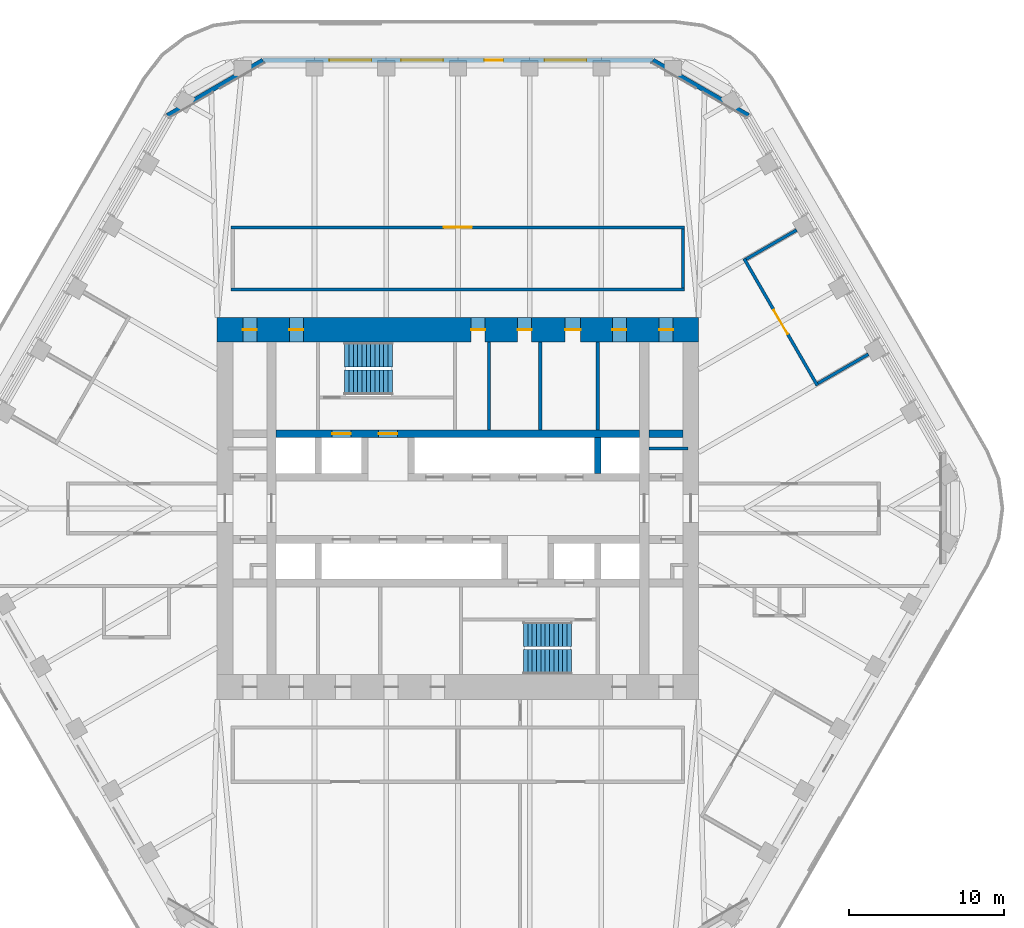
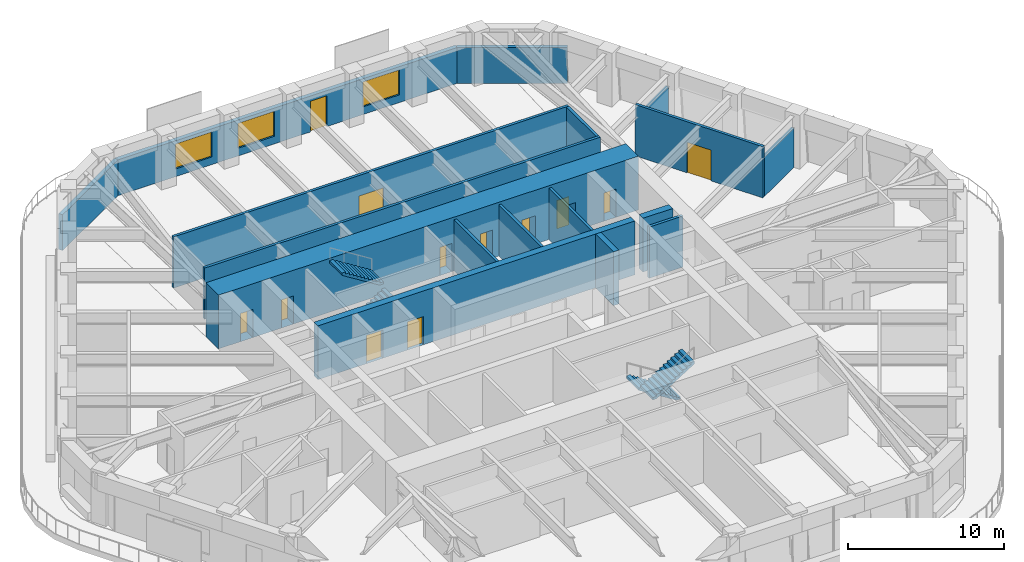
# One storey, part 17 of 20: 17 walls, 12 doors, 4 stair flights, 3 windows, 15 openings, 2 elements without a shape of their own.
"""IFC4 building model written with IfcOpenShell, lengths in metres."""

from ifc_helpers import new_model, si_unit, direction, frame, frame_2d, origin, place, context, subcontext, project, spatial, polyline, rectangle, outline, extrude, material, layer, layer_set, type_object, element, fill, aggregate, save


model = new_model("IFC4")

# Units and contexts
model_context = context("Model", 3, precision=1e-05, world=origin(), true_north=direction((0.0, 1.0)))
body_context = subcontext(model_context, "Body", "Model", "MODEL_VIEW")
ifc_project = project(units=[si_unit("LENGTHUNIT", "METRE"), si_unit("AREAUNIT", "SQUARE_METRE"), si_unit("VOLUMEUNIT", "CUBIC_METRE"), si_unit("PLANEANGLEUNIT", "RADIAN"), si_unit("MASSUNIT", "GRAM", prefix="KILO")], contexts=[model_context])

# Site, building, storey
site_placement = place(None, origin())
site = spatial("IfcSite", under=ifc_project, at=site_placement, CompositionType="ELEMENT")
building_placement = place(site_placement, origin())
building = spatial("IfcBuilding", under=site, at=building_placement, Name="Tarfa Lantern Tower", CompositionType="ELEMENT")
storey_placement = place(building_placement, frame((0.0, 0.0, 282.699951171875)))
storey = spatial("IfcBuildingStorey", under=building, at=storey_placement, Name="L64", CompositionType="ELEMENT", Elevation=282.699951171875)

# Walls
ifc_material_1 = material(Name="Limestone cladding on blockwork", Category="masonry")
ifc_layer_1 = layer(ifc_material_1, 0.300048828125)
ifc_layer_set_1 = layer_set([ifc_layer_1], Name="EW1 STONE-CLAD WALL 300")
wall_type_1 = type_object("IfcWallType", Name="EW1 STONE-CLAD WALL 300", PredefinedType="SOLIDWALL", material=ifc_layer_set_1)
for number, where, z_axis, x_axis, name in (
    (1, (18.70654296875, 25.299072265625, 0.0), (0.0, 0.0, 1.0), (-0.866010973379, 0.500024993363, 0.0), "Garden wall NE-N"),
    (2, (-12.556396484375, 28.85009765625, 0.0), (0.0, 0.0, 1.0), (-0.866010973379, -0.500024993363, 0.0), "Garden wall N-NW"),
):
    element("IfcWall", number, at=place(storey_placement, frame(where, z_axis=z_axis, x_axis=x_axis)), inside=storey, type_object=wall_type_1, Name=name, PredefinedType="SOLIDWALL", context=body_context, shape_type="SweptSolid", body=[
        extrude(rectangle(XDim=7.101806640625, YDim=0.300048828125, at=frame_2d((3.55078125, 0.0))), origin(), (0.0, 0.0, 1.0), 2.800048828125),
    ])

# Wall, openings, door, windows
wall_1_placement = place(storey_placement, frame((12.556396484375, 28.85009765625, 0.0), z_axis=(0.0, 0.0, 1.0), x_axis=(-1.0, 0.0, 0.0)))
wall_1 = element("IfcWall", 3, at=wall_1_placement, inside=storey, type_object=wall_type_1, Name="Stone wall N", PredefinedType="SOLIDWALL", context=body_context, shape_type="SweptSolid", body=[
    extrude(rectangle(XDim=25.11279296875, YDim=0.300048828125, at=frame_2d((12.556396484375, 0.0))), origin(), (0.0, 0.0, 1.0), 2.800048828125),
])
opening_1_placement = place(wall_1_placement, frame((4.2783203125, 0.0, 0.60009765625)))
opening_1 = element("IfcOpeningElement", 4, at=opening_1_placement, cuts=wall_1, Name="Opening W14", PredefinedType="OPENING", context=body_context, shape_type="SweptSolid", body=[
    extrude(rectangle(XDim=2.699951171875, YDim=1.949951171875, at=frame_2d((1.35009765625, 0.97509765625))), frame((0.0, 0.159912109375, 0.0), z_axis=(0.0, -1.0, 0.0), x_axis=(1.0, 0.0, 0.0)), (0.0, 0.0, 1.0), 0.320068359375),
])
opening_2_placement = place(wall_1_placement, frame((9.64697265625, 0.0, 0.0)))
opening_2 = element("IfcOpeningElement", 5, at=opening_2_placement, cuts=wall_1, Name="Opening D46", PredefinedType="OPENING", context=body_context, shape_type="SweptSolid", body=[
    extrude(rectangle(XDim=1.199951171875, YDim=2.39990234375, at=frame_2d((0.60009765625, 1.199951171875))), frame((0.0, 0.159912109375, 0.0), z_axis=(0.0, -1.0, 0.0), x_axis=(1.0, 0.0, 0.0)), (0.0, 0.0, 1.0), 0.320068359375),
])
opening_3_placement = place(wall_1_placement, frame((13.515869140625, 0.0, 0.60009765625)))
opening_3 = element("IfcOpeningElement", 6, at=opening_3_placement, cuts=wall_1, Name="Opening W14", PredefinedType="OPENING", context=body_context, shape_type="SweptSolid", body=[
    extrude(rectangle(XDim=2.699951171875, YDim=1.949951171875, at=frame_2d((1.35009765625, 0.97509765625))), frame((0.0, 0.159912109375, 0.0), z_axis=(0.0, -1.0, 0.0), x_axis=(1.0, 0.0, 0.0)), (0.0, 0.0, 1.0), 0.320068359375),
])
opening_4_placement = place(wall_1_placement, frame((18.134521484375, 0.0, 0.60009765625)))
opening_4 = element("IfcOpeningElement", 7, at=opening_4_placement, cuts=wall_1, Name="Opening W14", PredefinedType="OPENING", context=body_context, shape_type="SweptSolid", body=[
    extrude(rectangle(XDim=2.699951171875, YDim=1.949951171875, at=frame_2d((1.35009765625, 0.97509765625))), frame((0.0, 0.159912109375, 0.0), z_axis=(0.0, -1.0, 0.0), x_axis=(1.0, 0.0, 0.0)), (0.0, 0.0, 1.0), 0.320068359375),
])
ifc_material_2 = material(Name="Aluminium framed glazed door", Category="aluminium")
door_type_1 = type_object("IfcDoorType", Name="BE3 BALCONY DOOR 1200x2400", OperationType="SINGLE_SWING_RIGHT", PredefinedType="DOOR", material=ifc_material_2)
door_1_placement = place(opening_2_placement, origin())
door_1 = element("IfcDoor", 8, at=door_1_placement, inside=storey, type_object=door_type_1, Name="Balcony door N", OperationType="SINGLE_SWING_RIGHT", OverallHeight=2.39990234375, OverallWidth=1.199951171875, PredefinedType="DOOR", context=body_context, shape_type="SweptSolid", body=[
    extrude(rectangle(XDim=1.199951171875, YDim=2.39990234375, at=frame_2d((0.60009765625, 1.199951171875))), frame((0.0, 0.02490234375, 0.0), z_axis=(0.0, -1.0, 0.0), x_axis=(1.0, 0.0, 0.0)), (0.0, 0.0, 1.0), 0.050048828125),
])
fill(opening_2, door_1)
ifc_material_3 = material(Name="Aluminium frame, double glazed", Category="aluminium")
window_type = type_object("IfcWindowType", Name="W14 FULL-HEIGHT GLAZING 2700x1950", PartitioningType="SINGLE_PANEL", PredefinedType="WINDOW", material=ifc_material_3)
window_1_placement = place(opening_1_placement, origin())
window_1 = element("IfcWindow", 9, at=window_1_placement, inside=storey, type_object=window_type, Name="Window N 2", OverallHeight=1.949951171875, OverallWidth=2.699951171875, PartitioningType="SINGLE_PANEL", PredefinedType="WINDOW", context=body_context, shape_type="SweptSolid", body=[
    extrude(rectangle(XDim=2.699951171875, YDim=1.949951171875, at=frame_2d((1.35009765625, 0.97509765625))), frame((0.0, 0.030029296875, 0.0), z_axis=(0.0, -1.0, 0.0), x_axis=(1.0, 0.0, 0.0)), (0.0, 0.0, 1.0), 0.06005859375),
])
fill(opening_1, window_1)
window_2_placement = place(opening_3_placement, origin())
window_2 = element("IfcWindow", 10, at=window_2_placement, inside=storey, type_object=window_type, Name="Window N 4", OverallHeight=1.949951171875, OverallWidth=2.699951171875, PartitioningType="SINGLE_PANEL", PredefinedType="WINDOW", context=body_context, shape_type="SweptSolid", body=[
    extrude(rectangle(XDim=2.699951171875, YDim=1.949951171875, at=frame_2d((1.35009765625, 0.97509765625))), frame((0.0, 0.030029296875, 0.0), z_axis=(0.0, -1.0, 0.0), x_axis=(1.0, 0.0, 0.0)), (0.0, 0.0, 1.0), 0.06005859375),
])
fill(opening_3, window_2)
window_3_placement = place(opening_4_placement, origin())
window_3 = element("IfcWindow", 11, at=window_3_placement, inside=storey, type_object=window_type, Name="Window N 5", OverallHeight=1.949951171875, OverallWidth=2.699951171875, PartitioningType="SINGLE_PANEL", PredefinedType="WINDOW", context=body_context, shape_type="SweptSolid", body=[
    extrude(rectangle(XDim=2.699951171875, YDim=1.949951171875, at=frame_2d((1.35009765625, 0.97509765625))), frame((0.0, 0.030029296875, 0.0), z_axis=(0.0, -1.0, 0.0), x_axis=(1.0, 0.0, 0.0)), (0.0, 0.0, 1.0), 0.06005859375),
])
fill(opening_4, window_3)

# Walls
ifc_material_4 = material(Name="Concrete blockwork", Category="masonry")
ifc_layer_2 = layer(ifc_material_4, 0.199951171875)
ifc_layer_set_2 = layer_set([ifc_layer_2], Name="IW1 BLOCKWORK PARTITION 200 EI 120")
wall_type_2 = type_object("IfcWallType", Name="IW1 BLOCKWORK PARTITION 200 EI 120", PredefinedType="PARTITIONING", material=ifc_layer_set_2)
for number, where, z_axis, x_axis, name in (
    (12, (9.0, 5.050048828125, 0.0), (0.0, 0.0, 1.0), (0.0, 1.0, 0.0), "Core partition"),
    (13, (2.0, 5.050048828125, 0.0), (0.0, 0.0, 1.0), (0.0, 1.0, 0.0), "Core partition"),
    (14, (5.300048828125, 5.050048828125, 0.0), (0.0, 0.0, 1.0), (0.0, 1.0, 0.0), "Core partition"),
):
    element("IfcWall", number, at=place(storey_placement, frame(where, z_axis=z_axis, x_axis=x_axis)), inside=storey, type_object=wall_type_2, Name=name, PredefinedType="PARTITIONING", context=body_context, shape_type="SweptSolid", body=[
        extrude(rectangle(XDim=5.64990234375, YDim=0.199951171875, at=frame_2d((2.824951171875, 0.0))), origin(), (0.0, 0.0, 1.0), 4.0),
    ])
wall_2_placement = place(storey_placement, frame((12.300048828125, 3.85009765625, 0.0), z_axis=(0.0, 0.0, 1.0), x_axis=(1.0, 0.0, 0.0)))
element("IfcWall", 15, at=wall_2_placement, inside=storey, type_object=wall_type_2, Name="Core partition", PredefinedType="PARTITIONING", context=body_context, shape_type="SweptSolid", body=[
    extrude(rectangle(XDim=2.5, YDim=0.199951171875, at=frame_2d((1.25, 0.0))), origin(), (0.0, 0.0, 1.0), 4.0),
])
ifc_material_5 = material(Name="Gypsum board on steel studs", Category="steel")
ifc_layer_3 = layer(ifc_material_5, 0.2099609375)
ifc_layer_set_3 = layer_set([ifc_layer_3], Name="IW2 ACOUSTIC PARTITION 200")
wall_type_3 = type_object("IfcWallType", Name="IW2 ACOUSTIC PARTITION 200", PredefinedType="PARTITIONING", material=ifc_layer_set_3)
wall_3_placement = place(storey_placement, frame((-14.60009765625, 14.10009765625, 0.0), z_axis=(0.0, 0.0, 1.0), x_axis=(1.0, 0.0, 0.0)))
element("IfcWall", 16, at=wall_3_placement, inside=storey, type_object=wall_type_3, Name="Partition", PredefinedType="PARTITIONING", context=body_context, shape_type="SweptSolid", body=[
    extrude(rectangle(XDim=29.2001953125, YDim=0.199951171875, at=frame_2d((14.60009765625, 0.0))), origin(), (0.0, 0.0, 1.0), 4.0),
])

# Wall, opening, door
wall_4_placement = place(storey_placement, frame((-14.60009765625, 18.10009765625, 0.0), z_axis=(0.0, 0.0, 1.0), x_axis=(1.0, 0.0, 0.0)))
wall_4 = element("IfcWall", 17, at=wall_4_placement, inside=storey, type_object=wall_type_3, Name="Partition", PredefinedType="PARTITIONING", context=body_context, shape_type="SweptSolid", body=[
    extrude(rectangle(XDim=29.2001953125, YDim=0.199951171875, at=frame_2d((14.60009765625, 0.0))), origin(), (0.0, 0.0, 1.0), 4.0),
])
opening_5_placement = place(wall_4_placement, frame((13.699951171875, 0.0, 0.0)))
opening_5 = element("IfcOpeningElement", 18, at=opening_5_placement, cuts=wall_4, Name="Opening D31", PredefinedType="OPENING", context=body_context, shape_type="SweptSolid", body=[
    extrude(rectangle(XDim=1.800048828125, YDim=2.39990234375, at=frame_2d((0.89990234375, 1.199951171875))), frame((0.0, 0.10986328125, 0.0), z_axis=(0.0, -1.0, 0.0), x_axis=(1.0, 0.0, 0.0)), (0.0, 0.0, 1.0), 0.219970703125),
])
ifc_material_6 = material(Name="Timber door", Category="wood")
door_type_2 = type_object("IfcDoorType", Name="DR2 ROOM DOOR 1800x2400", OperationType="DOUBLE_DOOR_SINGLE_SWING", PredefinedType="DOOR", material=ifc_material_6)
door_2_placement = place(opening_5_placement, frame((1.800048828125, 0.0, 0.0), z_axis=(0.0, 0.0, 1.0), x_axis=(-1.0, 0.0, 0.0)))
door_2 = element("IfcDoor", 19, at=door_2_placement, inside=storey, type_object=door_type_2, Name="Team room door", OperationType="DOUBLE_DOOR_SINGLE_SWING", OverallHeight=2.39990234375, OverallWidth=1.800048828125, PredefinedType="DOOR", context=body_context, shape_type="SweptSolid", body=[
    extrude(rectangle(XDim=1.800048828125, YDim=2.39990234375, at=frame_2d((0.89990234375, 1.199951171875))), frame((0.0, 0.02490234375, 0.0), z_axis=(0.0, -1.0, 0.0), x_axis=(1.0, 0.0, 0.0)), (0.0, 0.0, 1.0), 0.050048828125),
])
fill(opening_5, door_2)

# Wall
wall_5_placement = place(storey_placement, frame((14.5, 14.199951171875, 0.0), z_axis=(0.0, 0.0, 1.0), x_axis=(0.0, 1.0, 0.0)))
element("IfcWall", 20, at=wall_5_placement, inside=storey, type_object=wall_type_3, Name="Partition", PredefinedType="PARTITIONING", context=body_context, shape_type="SweptSolid", body=[
    extrude(rectangle(XDim=3.800048828125, YDim=0.199951171875, at=frame_2d((1.89990234375, 0.0))), origin(), (0.0, 0.0, 1.0), 4.0),
])

# Wall, opening, door
wall_6_placement = place(storey_placement, frame((23.14404296875, 7.913330078125, 0.0), z_axis=(0.0, 0.0, 1.0), x_axis=(-0.499989672313, 0.866031366395, 0.0)))
wall_6 = element("IfcWall", 21, at=wall_6_placement, inside=storey, type_object=wall_type_3, Name="Partition", PredefinedType="PARTITIONING", context=body_context, shape_type="SweptSolid", body=[
    extrude(rectangle(XDim=9.437744140625, YDim=0.199951171875, at=frame_2d((4.71875, 0.0))), origin(), (0.0, 0.0, 1.0), 4.0),
])
opening_6_placement = place(wall_6_placement, frame((3.81884765625, 0.0, 0.0)))
opening_6 = element("IfcOpeningElement", 22, at=opening_6_placement, cuts=wall_6, Name="Opening D27", PredefinedType="OPENING", context=body_context, shape_type="SweptSolid", body=[
    extrude(rectangle(XDim=1.800048828125, YDim=2.39990234375, at=frame_2d((0.89990234375, 1.199951171875))), frame((0.0, 0.10986328125, 0.0), z_axis=(0.0, -1.0, 0.0), x_axis=(1.0, 0.0, 0.0)), (0.0, 0.0, 1.0), 0.219970703125),
])
door_3_placement = place(opening_6_placement, frame((1.800048828125, 0.0, 0.0), z_axis=(0.0, 0.0, 1.0), x_axis=(-1.0, 0.0, 0.0)))
door_3 = element("IfcDoor", 23, at=door_3_placement, inside=storey, type_object=door_type_2, Name="Team room door", OperationType="DOUBLE_DOOR_SINGLE_SWING", OverallHeight=2.39990234375, OverallWidth=1.800048828125, PredefinedType="DOOR", context=body_context, shape_type="SweptSolid", body=[
    extrude(rectangle(XDim=1.800048828125, YDim=2.39990234375, at=frame_2d((0.89990234375, 1.199951171875))), frame((0.0, 0.02490234375, 0.0), z_axis=(0.0, -1.0, 0.0), x_axis=(1.0, 0.0, 0.0)), (0.0, 0.0, 1.0), 0.050048828125),
])
fill(opening_6, door_3)

# Walls
for number, where, z_axis, x_axis, name in (
    (24, (23.1806640625, 8.050048828125, 0.0), (0.0, 0.0, 1.0), (0.866022959057, 0.500004234368, 0.0), "Partition"),
    (25, (18.561767578125, 16.050048828125, 0.0), (0.0, 0.0, 1.0), (0.866022959057, 0.500004234368, 0.0), "Partition"),
):
    element("IfcWall", number, at=place(storey_placement, frame(where, z_axis=z_axis, x_axis=x_axis)), inside=storey, type_object=wall_type_3, Name=name, PredefinedType="PARTITIONING", context=body_context, shape_type="SweptSolid", body=[
        extrude(rectangle(XDim=3.75, YDim=0.199951171875, at=frame_2d((1.875, 0.0))), origin(), (0.0, 0.0, 1.0), 3.08154296875),
    ])

# Wall, openings, doors
ifc_material_7 = material(Name="Concrete C80/95", Category="concrete")
ifc_layer_4 = layer(ifc_material_7, 0.5)
ifc_layer_set_4 = layer_set([ifc_layer_4], Name="SW5 CORE WALL 500")
wall_type_4 = type_object("IfcWallType", Name="SW5 CORE WALL 500", PredefinedType="SHEAR", material=ifc_layer_set_4)
wall_7_placement = place(storey_placement, frame((-11.699951171875, 4.800048828125, 0.0), z_axis=(0.0, 0.0, 1.0), x_axis=(1.0, 0.0, 0.0)))
wall_7 = element("IfcWall", 26, at=wall_7_placement, inside=storey, type_object=wall_type_4, Name="Core wall rear N", PredefinedType="SHEAR", context=body_context, shape_type="SweptSolid", body=[
    extrude(rectangle(XDim=23.39990234375, YDim=0.5, at=frame_2d((11.699951171875, 0.0))), origin(), (0.0, 0.0, 1.0), 4.199951171875),
])
opening_7_placement = place(wall_7_placement, frame((6.60009765625, 0.0, 0.0)))
opening_7 = element("IfcOpeningElement", 27, at=opening_7_placement, cuts=wall_7, Name="Opening D09", PredefinedType="OPENING", context=body_context, shape_type="SweptSolid", body=[
    extrude(rectangle(XDim=1.199951171875, YDim=2.199951171875, at=frame_2d((0.60009765625, 1.10009765625))), frame((0.0, 0.260009765625, 0.0), z_axis=(0.0, -1.0, 0.0), x_axis=(1.0, 0.0, 0.0)), (0.0, 0.0, 1.0), 0.52001953125),
])
opening_8_placement = place(wall_7_placement, frame((3.60009765625, 0.0, 0.0)))
opening_8 = element("IfcOpeningElement", 28, at=opening_8_placement, cuts=wall_7, Name="Opening LD01", PredefinedType="OPENING", context=body_context, shape_type="SweptSolid", body=[
    extrude(rectangle(XDim=1.199951171875, YDim=2.199951171875, at=frame_2d((0.60009765625, 1.10009765625))), frame((0.0, 0.260009765625, 0.0), z_axis=(0.0, -1.0, 0.0), x_axis=(1.0, 0.0, 0.0)), (0.0, 0.0, 1.0), 0.52001953125),
])
ifc_material_8 = material(Name="Steel fire door", Category="steel")
door_type_3 = type_object("IfcDoorType", Name="DF1 FIREFIGHTING LOBBY DOOR 1200x2200", OperationType="SINGLE_SWING_LEFT", PredefinedType="DOOR", material=ifc_material_8)
door_4_placement = place(opening_7_placement, origin())
door_4 = element("IfcDoor", 29, at=door_4_placement, inside=storey, type_object=door_type_3, Name="Firefighting lobby door", OperationType="SINGLE_SWING_LEFT", OverallHeight=2.199951171875, OverallWidth=1.199951171875, PredefinedType="DOOR", context=body_context, shape_type="SweptSolid", body=[
    extrude(rectangle(XDim=1.199951171875, YDim=2.199951171875, at=frame_2d((0.60009765625, 1.10009765625))), frame((0.0, 0.02490234375, 0.0), z_axis=(0.0, -1.0, 0.0), x_axis=(1.0, 0.0, 0.0)), (0.0, 0.0, 1.0), 0.050048828125),
])
fill(opening_7, door_4)
ifc_material_9 = material(Name="Stainless steel lift door", Category="steel")
door_type_4 = type_object("IfcDoorType", Name="LD1 LIFT LANDING DOOR 1200x2200", OperationType="SLIDING_TO_LEFT", PredefinedType="DOOR", material=ifc_material_9)
door_5_placement = place(opening_8_placement, origin())
door_5 = element("IfcDoor", 30, at=door_5_placement, inside=storey, type_object=door_type_4, Name="Landing door FL1", OperationType="SLIDING_TO_LEFT", OverallHeight=2.199951171875, OverallWidth=1.199951171875, PredefinedType="DOOR", context=body_context, shape_type="SweptSolid", body=[
    extrude(rectangle(XDim=1.199951171875, YDim=2.199951171875, at=frame_2d((0.60009765625, 1.10009765625))), frame((0.0, 0.02490234375, 0.0), z_axis=(0.0, -1.0, 0.0), x_axis=(1.0, 0.0, 0.0)), (0.0, 0.0, 1.0), 0.050048828125),
])
fill(opening_8, door_5)

# Walls
wall_8_placement = place(storey_placement, frame((12.300048828125, 4.800048828125, 0.0), z_axis=(0.0, 0.0, 1.0), x_axis=(1.0, 0.0, 0.0)))
element("IfcWall", 31, at=wall_8_placement, inside=storey, type_object=wall_type_4, Name="Core wall rear N", PredefinedType="SHEAR", context=body_context, shape_type="SweptSolid", body=[
    extrude(rectangle(XDim=2.199951171875, YDim=0.5, at=frame_2d((1.10009765625, 0.0))), origin(), (0.0, 0.0, 1.0), 4.199951171875),
])
ifc_layer_5 = layer(ifc_material_7, 0.39990234375)
ifc_layer_set_5 = layer_set([ifc_layer_5], Name="SW6 CORE WALL 400")
wall_type_5 = type_object("IfcWallType", Name="SW6 CORE WALL 400", PredefinedType="SHEAR", material=ifc_layer_set_5)
wall_9_placement = place(storey_placement, frame((9.0, 2.25, 0.0), z_axis=(0.0, 0.0, 1.0), x_axis=(0.0, 1.0, 0.0)))
element("IfcWall", 32, at=wall_9_placement, inside=storey, type_object=wall_type_5, Name="Core wall divider N", PredefinedType="SHEAR", context=body_context, shape_type="SweptSolid", body=[
    extrude(rectangle(XDim=2.300048828125, YDim=0.39990234375, at=frame_2d((1.14990234375, 0.0))), origin(), (0.0, 0.0, 1.0), 4.199951171875),
])

# Wall, openings, doors
ifc_layer_6 = layer(ifc_material_7, 1.60009765625)
ifc_layer_set_6 = layer_set([ifc_layer_6], Name="SW7 CORE WALL 1600")
wall_type_6 = type_object("IfcWallType", Name="SW7 CORE WALL 1600", PredefinedType="SHEAR", material=ifc_layer_set_6)
wall_10_placement = place(storey_placement, frame((-15.5, 11.5, 0.0), z_axis=(0.0, 0.0, 1.0), x_axis=(1.0, 0.0, 0.0)))
wall_10 = element("IfcWall", 33, at=wall_10_placement, inside=storey, type_object=wall_type_6, Name="Core wall N", PredefinedType="SHEAR", context=body_context, shape_type="SweptSolid", body=[
    extrude(rectangle(XDim=31.0, YDim=1.60009765625, at=frame_2d((15.5, 0.0))), origin(), (0.0, 0.0, 1.0), 4.199951171875),
])
opening_9_placement = place(wall_10_placement, frame((16.35009765625, 0.0, 0.0)))
opening_9 = element("IfcOpeningElement", 34, at=opening_9_placement, cuts=wall_10, Name="Opening D17", PredefinedType="OPENING", context=body_context, shape_type="SweptSolid", body=[
    extrude(rectangle(XDim=0.89990234375, YDim=2.199951171875, at=frame_2d((0.449951171875, 1.10009765625))), frame((0.0, 0.81005859375, 0.0), z_axis=(0.0, -1.0, 0.0), x_axis=(1.0, 0.0, 0.0)), (0.0, 0.0, 1.0), 1.6201171875),
])
opening_10_placement = place(wall_10_placement, frame((19.35009765625, 0.0, 0.0)))
opening_10 = element("IfcOpeningElement", 35, at=opening_10_placement, cuts=wall_10, Name="Opening D19", PredefinedType="OPENING", context=body_context, shape_type="SweptSolid", body=[
    extrude(rectangle(XDim=0.89990234375, YDim=2.199951171875, at=frame_2d((0.449951171875, 1.10009765625))), frame((0.0, 0.81005859375, 0.0), z_axis=(0.0, -1.0, 0.0), x_axis=(1.0, 0.0, 0.0)), (0.0, 0.0, 1.0), 1.6201171875),
])
opening_11_placement = place(wall_10_placement, frame((22.39990234375, 0.0, 0.0)))
opening_11 = element("IfcOpeningElement", 36, at=opening_11_placement, cuts=wall_10, Name="Opening D21", PredefinedType="OPENING", context=body_context, shape_type="SweptSolid", body=[
    extrude(rectangle(XDim=1.0, YDim=2.199951171875, at=frame_2d((0.5, 1.10009765625))), frame((0.0, 0.81005859375, 0.0), z_axis=(0.0, -1.0, 0.0), x_axis=(1.0, 0.0, 0.0)), (0.0, 0.0, 1.0), 1.6201171875),
])
opening_12_placement = place(wall_10_placement, frame((1.64990234375, 0.0, 0.0)))
opening_12 = element("IfcOpeningElement", 37, at=opening_12_placement, cuts=wall_10, Name="Opening D07", PredefinedType="OPENING", context=body_context, shape_type="SweptSolid", body=[
    extrude(rectangle(XDim=0.89990234375, YDim=2.199951171875, at=frame_2d((0.449951171875, 1.10009765625))), frame((0.0, 0.81005859375, 0.0), z_axis=(0.0, -1.0, 0.0), x_axis=(1.0, 0.0, 0.0)), (0.0, 0.0, 1.0), 1.6201171875),
])
opening_13_placement = place(wall_10_placement, frame((4.64990234375, 0.0, 0.0)))
opening_13 = element("IfcOpeningElement", 38, at=opening_13_placement, cuts=wall_10, Name="Opening D05", PredefinedType="OPENING", context=body_context, shape_type="SweptSolid", body=[
    extrude(rectangle(XDim=0.89990234375, YDim=2.199951171875, at=frame_2d((0.449951171875, 1.10009765625))), frame((0.0, 0.81005859375, 0.0), z_axis=(0.0, -1.0, 0.0), x_axis=(1.0, 0.0, 0.0)), (0.0, 0.0, 1.0), 1.6201171875),
])
opening_14_placement = place(wall_10_placement, frame((25.449951171875, 0.0, 0.0)))
opening_14 = element("IfcOpeningElement", 39, at=opening_14_placement, cuts=wall_10, Name="Opening D03", PredefinedType="OPENING", context=body_context, shape_type="SweptSolid", body=[
    extrude(rectangle(XDim=0.89990234375, YDim=2.199951171875, at=frame_2d((0.449951171875, 1.10009765625))), frame((0.0, 0.81005859375, 0.0), z_axis=(0.0, -1.0, 0.0), x_axis=(1.0, 0.0, 0.0)), (0.0, 0.0, 1.0), 1.6201171875),
])
opening_15_placement = place(wall_10_placement, frame((28.449951171875, 0.0, 0.0)))
opening_15 = element("IfcOpeningElement", 40, at=opening_15_placement, cuts=wall_10, Name="Opening D01", PredefinedType="OPENING", context=body_context, shape_type="SweptSolid", body=[
    extrude(rectangle(XDim=0.89990234375, YDim=2.199951171875, at=frame_2d((0.449951171875, 1.10009765625))), frame((0.0, 0.81005859375, 0.0), z_axis=(0.0, -1.0, 0.0), x_axis=(1.0, 0.0, 0.0)), (0.0, 0.0, 1.0), 1.6201171875),
])
door_type_5 = type_object("IfcDoorType", Name="DF3 CORE ROOM DOOR 900x2200", OperationType="SINGLE_SWING_LEFT", PredefinedType="DOOR", material=ifc_material_8)
door_6_placement = place(opening_9_placement, frame((0.89990234375, 0.0, 0.0), z_axis=(0.0, 0.0, 1.0), x_axis=(-1.0, 0.0, 0.0)))
door_6 = element("IfcDoor", 41, at=door_6_placement, inside=storey, type_object=door_type_5, Name="Core door", OperationType="SINGLE_SWING_RIGHT", OverallHeight=2.199951171875, OverallWidth=0.89990234375, PredefinedType="DOOR", context=body_context, shape_type="SweptSolid", body=[
    extrude(rectangle(XDim=0.89990234375, YDim=2.199951171875, at=frame_2d((0.449951171875, 1.10009765625))), frame((0.0, 0.02490234375, 0.0), z_axis=(0.0, -1.0, 0.0), x_axis=(1.0, 0.0, 0.0)), (0.0, 0.0, 1.0), 0.050048828125),
])
fill(opening_9, door_6)
door_7_placement = place(opening_10_placement, frame((0.89990234375, 0.0, 0.0), z_axis=(0.0, 0.0, 1.0), x_axis=(-1.0, 0.0, 0.0)))
door_7 = element("IfcDoor", 42, at=door_7_placement, inside=storey, type_object=door_type_5, Name="Core door", OperationType="SINGLE_SWING_RIGHT", OverallHeight=2.199951171875, OverallWidth=0.89990234375, PredefinedType="DOOR", context=body_context, shape_type="SweptSolid", body=[
    extrude(rectangle(XDim=0.89990234375, YDim=2.199951171875, at=frame_2d((0.449951171875, 1.10009765625))), frame((0.0, 0.02490234375, 0.0), z_axis=(0.0, -1.0, 0.0), x_axis=(1.0, 0.0, 0.0)), (0.0, 0.0, 1.0), 0.050048828125),
])
fill(opening_10, door_7)
door_type_6 = type_object("IfcDoorType", Name="DF4 CORE ROOM DOOR 1000x2200", OperationType="SINGLE_SWING_LEFT", PredefinedType="DOOR", material=ifc_material_8)
door_8_placement = place(opening_11_placement, frame((1.0, 0.0, 0.0), z_axis=(0.0, 0.0, 1.0), x_axis=(-1.0, 0.0, 0.0)))
door_8 = element("IfcDoor", 43, at=door_8_placement, inside=storey, type_object=door_type_6, Name="Core door", OperationType="SINGLE_SWING_RIGHT", OverallHeight=2.199951171875, OverallWidth=1.0, PredefinedType="DOOR", context=body_context, shape_type="SweptSolid", body=[
    extrude(rectangle(XDim=1.0, YDim=2.199951171875, at=frame_2d((0.5, 1.10009765625))), frame((0.0, 0.02490234375, 0.0), z_axis=(0.0, -1.0, 0.0), x_axis=(1.0, 0.0, 0.0)), (0.0, 0.0, 1.0), 0.050048828125),
])
fill(opening_11, door_8)
door_type_7 = type_object("IfcDoorType", Name="DF5 RISER DOOR 900x2200", OperationType="SINGLE_SWING_LEFT", PredefinedType="DOOR", material=ifc_material_8)
door_9_placement = place(opening_12_placement, frame((0.89990234375, 0.0, 0.0), z_axis=(0.0, 0.0, 1.0), x_axis=(-1.0, 0.0, 0.0)))
door_9 = element("IfcDoor", 44, at=door_9_placement, inside=storey, type_object=door_type_7, Name="Riser door", OperationType="SINGLE_SWING_LEFT", OverallHeight=2.199951171875, OverallWidth=0.89990234375, PredefinedType="DOOR", context=body_context, shape_type="SweptSolid", body=[
    extrude(rectangle(XDim=0.89990234375, YDim=2.199951171875, at=frame_2d((0.449951171875, 1.10009765625))), frame((0.0, 0.02490234375, 0.0), z_axis=(0.0, -1.0, 0.0), x_axis=(1.0, 0.0, 0.0)), (0.0, 0.0, 1.0), 0.050048828125),
])
fill(opening_12, door_9)
door_10_placement = place(opening_13_placement, frame((0.89990234375, 0.0, 0.0), z_axis=(0.0, 0.0, 1.0), x_axis=(-1.0, 0.0, 0.0)))
door_10 = element("IfcDoor", 45, at=door_10_placement, inside=storey, type_object=door_type_7, Name="Riser door", OperationType="SINGLE_SWING_LEFT", OverallHeight=2.199951171875, OverallWidth=0.89990234375, PredefinedType="DOOR", context=body_context, shape_type="SweptSolid", body=[
    extrude(rectangle(XDim=0.89990234375, YDim=2.199951171875, at=frame_2d((0.449951171875, 1.10009765625))), frame((0.0, 0.02490234375, 0.0), z_axis=(0.0, -1.0, 0.0), x_axis=(1.0, 0.0, 0.0)), (0.0, 0.0, 1.0), 0.050048828125),
])
fill(opening_13, door_10)
door_11_placement = place(opening_14_placement, frame((0.89990234375, 0.0, 0.0), z_axis=(0.0, 0.0, 1.0), x_axis=(-1.0, 0.0, 0.0)))
door_11 = element("IfcDoor", 46, at=door_11_placement, inside=storey, type_object=door_type_7, Name="Riser door", OperationType="SINGLE_SWING_RIGHT", OverallHeight=2.199951171875, OverallWidth=0.89990234375, PredefinedType="DOOR", context=body_context, shape_type="SweptSolid", body=[
    extrude(rectangle(XDim=0.89990234375, YDim=2.199951171875, at=frame_2d((0.449951171875, 1.10009765625))), frame((0.0, 0.02490234375, 0.0), z_axis=(0.0, -1.0, 0.0), x_axis=(1.0, 0.0, 0.0)), (0.0, 0.0, 1.0), 0.050048828125),
])
fill(opening_14, door_11)
door_12_placement = place(opening_15_placement, frame((0.89990234375, 0.0, 0.0), z_axis=(0.0, 0.0, 1.0), x_axis=(-1.0, 0.0, 0.0)))
door_12 = element("IfcDoor", 47, at=door_12_placement, inside=storey, type_object=door_type_7, Name="Riser door", OperationType="SINGLE_SWING_RIGHT", OverallHeight=2.199951171875, OverallWidth=0.89990234375, PredefinedType="DOOR", context=body_context, shape_type="SweptSolid", body=[
    extrude(rectangle(XDim=0.89990234375, YDim=2.199951171875, at=frame_2d((0.449951171875, 1.10009765625))), frame((0.0, 0.02490234375, 0.0), z_axis=(0.0, -1.0, 0.0), x_axis=(1.0, 0.0, 0.0)), (0.0, 0.0, 1.0), 0.050048828125),
])
fill(opening_15, door_12)

# Stair, stair flights
ifc_material_10 = material(Name="Concrete C40/50", Category="concrete")
stair_type = type_object("IfcStairType", Name="ST-T10 HALF-TURN STAIR 4200 RISE", PredefinedType="HALF_TURN_STAIR", material=ifc_material_10)
stair_1_placement = place(storey_placement, origin())
stair_1 = element("IfcStair", 48, at=stair_1_placement, inside=storey, type_object=stair_type, Name="Stair ST1", PredefinedType="HALF_TURN_STAIR")
stair_flight_type = type_object("IfcStairFlightType", Name="SF1 STAIR FLIGHT", PredefinedType="STRAIGHT", material=ifc_material_10)
stair_flight_1_placement = place(storey_placement, frame((-7.300048828125, 8.10009765625, 0.0), z_axis=(0.0, 0.0, 1.0), x_axis=(1.0, 0.0, 0.0)))
stair_flight_1 = element("IfcStairFlight", 49, at=stair_flight_1_placement, type_object=stair_flight_type, Name="ST1 flight 1", NumberOfRisers=12, NumberOfTreads=11, PredefinedType="STRAIGHT", RiserHeight=0.175, TreadLength=0.28, context=body_context, shape_type="SweptSolid", body=[
    extrude(outline(polyline([(0.0, 0.0), (0.0, 0.175048828125), (0.280029296875, 0.175048828125), (0.280029296875, 0.35009765625), (0.56005859375, 0.35009765625), (0.56005859375, 0.52490234375), (0.840087890625, 0.52490234375), (0.840087890625, 0.699951171875), (1.1201171875, 0.699951171875), (1.1201171875, 0.875), (1.39990234375, 0.875), (1.39990234375, 1.050048828125), (1.679931640625, 1.050048828125), (1.679931640625, 1.22509765625), (1.9599609375, 1.22509765625), (1.9599609375, 1.39990234375), (2.239990234375, 1.39990234375), (2.239990234375, 1.574951171875), (2.52001953125, 1.574951171875), (2.52001953125, 1.75), (2.800048828125, 1.75), (2.800048828125, 1.925048828125), (3.080078125, 1.925048828125), (3.080078125, 2.10009765625), (3.080078125, 1.748291015625), (0.28271484375, 0.0), (0.0, 0.0)])), frame((0.0, 0.800048828125, 0.0), z_axis=(0.0, -1.0, 0.0), x_axis=(1.0, 0.0, 0.0)), (0.0, 0.0, 1.0), 1.60009765625),
])
stair_flight_2_placement = place(storey_placement, frame((-4.219970703125, 9.89990234375, 2.10009765625), z_axis=(0.0, 0.0, 1.0), x_axis=(-1.0, 0.0, 0.0)))
stair_flight_2 = element("IfcStairFlight", 50, at=stair_flight_2_placement, type_object=stair_flight_type, Name="ST1 flight 2", NumberOfRisers=12, NumberOfTreads=11, PredefinedType="STRAIGHT", RiserHeight=0.175, TreadLength=0.28, context=body_context, shape_type="SweptSolid", body=[
    extrude(outline(polyline([(0.0, 0.0), (0.0, 0.175048828125), (0.280029296875, 0.175048828125), (0.280029296875, 0.35009765625), (0.56005859375, 0.35009765625), (0.56005859375, 0.52490234375), (0.840087890625, 0.52490234375), (0.840087890625, 0.699951171875), (1.1201171875, 0.699951171875), (1.1201171875, 0.875), (1.39990234375, 0.875), (1.39990234375, 1.050048828125), (1.679931640625, 1.050048828125), (1.679931640625, 1.22509765625), (1.9599609375, 1.22509765625), (1.9599609375, 1.39990234375), (2.239990234375, 1.39990234375), (2.239990234375, 1.574951171875), (2.52001953125, 1.574951171875), (2.52001953125, 1.75), (2.800048828125, 1.75), (2.800048828125, 1.925048828125), (3.080078125, 1.925048828125), (3.080078125, 2.10009765625), (3.080078125, 1.748291015625), (0.28271484375, 0.0), (0.0, 0.0)])), frame((0.0, 0.800048828125, 0.0), z_axis=(0.0, -1.0, 0.0), x_axis=(1.0, 0.0, 0.0)), (0.0, 0.0, 1.0), 1.60009765625),
])
aggregate(stair_1, [stair_flight_1, stair_flight_2])

stair_2_placement = place(storey_placement, origin())
stair_2 = element("IfcStair", 51, at=stair_2_placement, inside=storey, type_object=stair_type, Name="Stair ST2", PredefinedType="HALF_TURN_STAIR")
stair_flight_3_placement = place(storey_placement, frame((7.300048828125, -8.10009765625, 0.0), z_axis=(0.0, 0.0, 1.0), x_axis=(-1.0, 0.0, 0.0)))
stair_flight_3 = element("IfcStairFlight", 52, at=stair_flight_3_placement, type_object=stair_flight_type, Name="ST2 flight 1", NumberOfRisers=12, NumberOfTreads=11, PredefinedType="STRAIGHT", RiserHeight=0.175, TreadLength=0.28, context=body_context, shape_type="SweptSolid", body=[
    extrude(outline(polyline([(0.0, 0.0), (0.0, 0.175048828125), (0.280029296875, 0.175048828125), (0.280029296875, 0.35009765625), (0.56005859375, 0.35009765625), (0.56005859375, 0.52490234375), (0.840087890625, 0.52490234375), (0.840087890625, 0.699951171875), (1.1201171875, 0.699951171875), (1.1201171875, 0.875), (1.39990234375, 0.875), (1.39990234375, 1.050048828125), (1.679931640625, 1.050048828125), (1.679931640625, 1.22509765625), (1.9599609375, 1.22509765625), (1.9599609375, 1.39990234375), (2.239990234375, 1.39990234375), (2.239990234375, 1.574951171875), (2.52001953125, 1.574951171875), (2.52001953125, 1.75), (2.800048828125, 1.75), (2.800048828125, 1.925048828125), (3.080078125, 1.925048828125), (3.080078125, 2.10009765625), (3.080078125, 1.748291015625), (0.28271484375, 0.0), (0.0, 0.0)])), frame((0.0, 0.800048828125, 0.0), z_axis=(0.0, -1.0, 0.0), x_axis=(1.0, 0.0, 0.0)), (0.0, 0.0, 1.0), 1.60009765625),
])
stair_flight_4_placement = place(storey_placement, frame((4.219970703125, -9.89990234375, 2.10009765625), z_axis=(0.0, 0.0, 1.0), x_axis=(1.0, 0.0, 0.0)))
stair_flight_4 = element("IfcStairFlight", 53, at=stair_flight_4_placement, type_object=stair_flight_type, Name="ST2 flight 2", NumberOfRisers=12, NumberOfTreads=11, PredefinedType="STRAIGHT", RiserHeight=0.175, TreadLength=0.28, context=body_context, shape_type="SweptSolid", body=[
    extrude(outline(polyline([(0.0, 0.0), (0.0, 0.175048828125), (0.280029296875, 0.175048828125), (0.280029296875, 0.35009765625), (0.56005859375, 0.35009765625), (0.56005859375, 0.52490234375), (0.840087890625, 0.52490234375), (0.840087890625, 0.699951171875), (1.1201171875, 0.699951171875), (1.1201171875, 0.875), (1.39990234375, 0.875), (1.39990234375, 1.050048828125), (1.679931640625, 1.050048828125), (1.679931640625, 1.22509765625), (1.9599609375, 1.22509765625), (1.9599609375, 1.39990234375), (2.239990234375, 1.39990234375), (2.239990234375, 1.574951171875), (2.52001953125, 1.574951171875), (2.52001953125, 1.75), (2.800048828125, 1.75), (2.800048828125, 1.925048828125), (3.080078125, 1.925048828125), (3.080078125, 2.10009765625), (3.080078125, 1.748291015625), (0.28271484375, 0.0), (0.0, 0.0)])), frame((0.0, 0.800048828125, 0.0), z_axis=(0.0, -1.0, 0.0), x_axis=(1.0, 0.0, 0.0)), (0.0, 0.0, 1.0), 1.60009765625),
])
aggregate(stair_2, [stair_flight_3, stair_flight_4])

save(model, "model.ifc")
